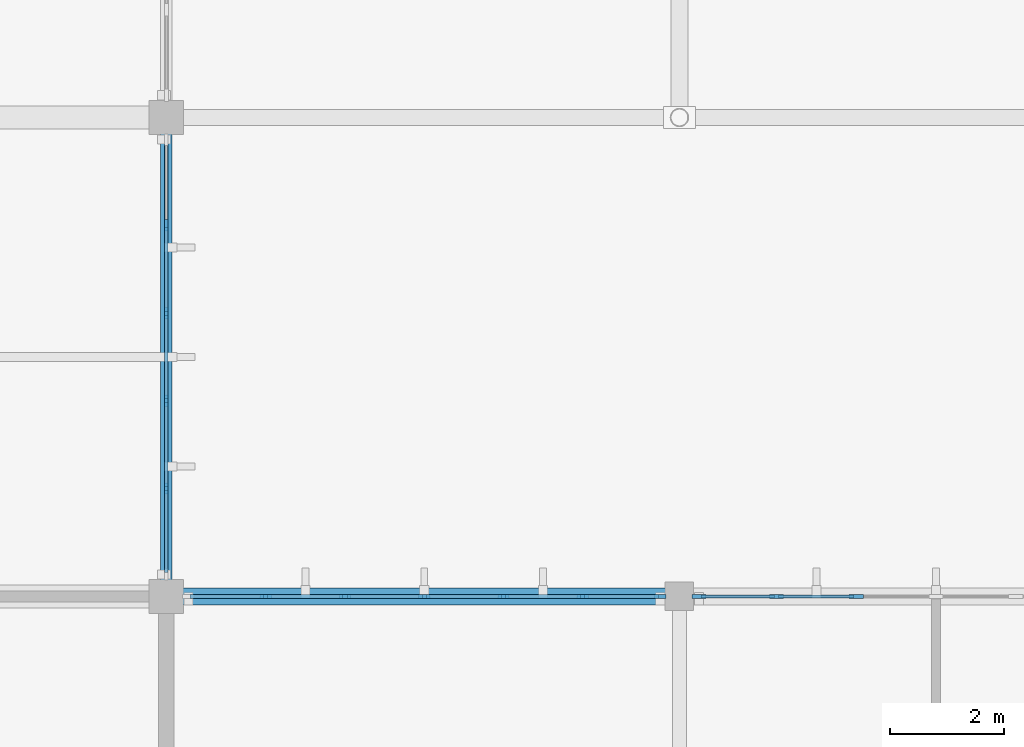
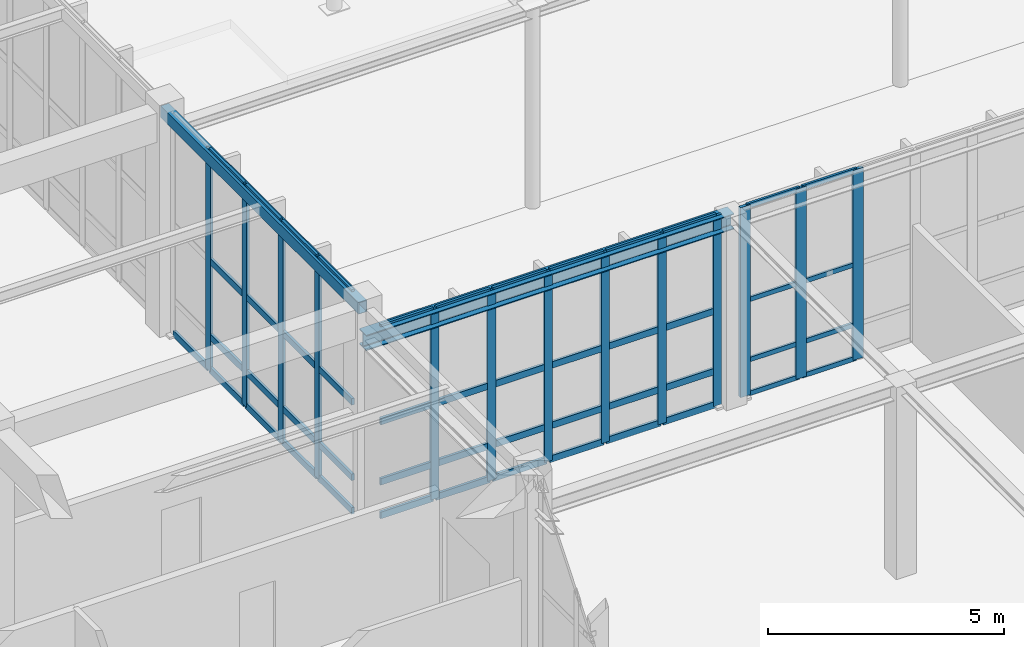
# One storey, part 31 of 110: 62 members, 2 beams, 3 elements without a shape of their own.
"""IFC4 building model written with IfcOpenShell, lengths in metres."""

import ifcopenshell
import ifcopenshell.guid

model = None  # the IFC model being written
_history = None  # IfcOwnerHistory: only IFC2X3 demands one
_inside = {}  # id of a spatial element -> (the spatial element, [elements in it])
_under = {}  # id of a project, library or spatial element -> (it, [spatial elements below it])
_declared = {}  # id of a project -> (the project, [libraries it declares])
_typed = {}  # id of a type object -> (the type object, [elements of that type])
_made_of = {}  # id of a material, layer set ... -> (it, [elements and type objects made of it])


def new_model(schema):
    """Start an empty IFC model of exactly this schema.

    Asked for "IFC4X3", IfcOpenShell would pick the latest addendum, in which some entities
    have other attributes; the version numbers below select the first issue.
    IFC2X3 requires an IfcOwnerHistory on every rooted entity: one is made here for all.
    """
    global model, _history
    if schema == "IFC4X3":
        model = ifcopenshell.file(schema_version=(4, 3, 0, 0))
    else:
        model = ifcopenshell.file(schema=schema)
    _inside.clear()
    _under.clear()
    _declared.clear()
    _typed.clear()
    _made_of.clear()
    _history = None
    if model.schema == "IFC2X3":
        org = make("IfcOrganization", Name="unknown")
        user = make(
            "IfcPersonAndOrganization",
            ThePerson=make("IfcPerson", FamilyName="unknown"),
            TheOrganization=org,
        )
        app = make(
            "IfcApplication",
            ApplicationDeveloper=org,
            Version="unknown",
            ApplicationFullName="unknown",
            ApplicationIdentifier="unknown",
        )
        _history = make(
            "IfcOwnerHistory",
            OwningUser=user,
            OwningApplication=app,
            ChangeAction="ADDED",
            CreationDate=0,
        )
    return model


def make(cls, **values):
    """One entity of the class cls with the attributes given. An attribute that is None is left unset."""
    return model.create_entity(
        cls, **{name: value for name, value in values.items() if value is not None}
    )


def rooted(cls, **values):
    """An entity with a GlobalId (a new one), such as an element, a storey or a relation."""
    return make(cls, GlobalId=ifcopenshell.guid.new(), OwnerHistory=_history, **values)


def si_unit(unit_type, name, prefix=None):
    """IfcSIUnit, for example si_unit("LENGTHUNIT", "METRE", prefix="MILLI")."""
    return make("IfcSIUnit", UnitType=unit_type, Prefix=prefix, Name=name)


def assignment(units):
    """IfcUnitAssignment: the units of a project."""
    return None if units is None else make("IfcUnitAssignment", Units=units)


def point(xyz):
    """IfcCartesianPoint."""
    return None if xyz is None else make("IfcCartesianPoint", Coordinates=xyz)


def direction(xyz):
    """IfcDirection."""
    return None if xyz is None else make("IfcDirection", DirectionRatios=xyz)


def frame(location, z_axis=None, x_axis=None):
    """IfcAxis2Placement3D, a coordinate frame: its origin and axes. An axis left out is left unset."""
    return make(
        "IfcAxis2Placement3D",
        Location=point(location),
        Axis=direction(z_axis),
        RefDirection=direction(x_axis),
    )


def frame_2d(location, x_axis=None):
    """IfcAxis2Placement2D, a coordinate frame in the plane: its origin and x axis."""
    return make(
        "IfcAxis2Placement2D", Location=point(location), RefDirection=direction(x_axis)
    )


def origin():
    """The frame at (0, 0, 0) with its axes left unset."""
    return frame((0.0, 0.0, 0.0))


def origin_2d():
    """The frame at (0, 0) in the plane with its x axis left unset."""
    return frame_2d((0.0, 0.0))


def place(relative_to, where):
    """IfcLocalPlacement: puts the frame where relative to a parent placement (None: the world)."""
    return make(
        "IfcLocalPlacement", PlacementRelTo=relative_to, RelativePlacement=where
    )


def context(
    kind, dimensions, precision=None, world=None, true_north=None, identifier=None
):
    """IfcGeometricRepresentationContext, for example the 3D "Model" context."""
    return make(
        "IfcGeometricRepresentationContext",
        ContextIdentifier=identifier,
        ContextType=kind,
        CoordinateSpaceDimension=dimensions,
        Precision=precision,
        WorldCoordinateSystem=world,
        TrueNorth=true_north,
    )


def subcontext(parent, identifier, kind, view, scale=None):
    """IfcGeometricRepresentationSubContext, for example "Body" below "Model"."""
    return make(
        "IfcGeometricRepresentationSubContext",
        ContextIdentifier=identifier,
        ContextType=kind,
        ParentContext=parent,
        TargetScale=scale,
        TargetView=view,
    )


def project(units=None, contexts=None):
    """IfcProject with its units and contexts."""
    return rooted(
        "IfcProject",
        Name="project",
        RepresentationContexts=contexts,
        UnitsInContext=assignment(units),
    )


def spatial(cls, under=None, at=None, **own):
    """A site, building, storey or space (cls), placed at a placement, below another one or the project."""
    s = rooted(cls, ObjectPlacement=at, **own)
    if under is not None:
        _under.setdefault(under.id(), (under, []))[1].append(s)
    return s


def profile(cls, at=None, kind="AREA", **sizes):
    """A parametric profile (cls). Its sizes go by their IFC names, for example OverallWidth=200.0."""
    return make(cls, ProfileType=kind, Position=at, **sizes)


def rectangle(**sizes):
    """IfcRectangleProfileDef."""
    return profile("IfcRectangleProfileDef", **sizes)


def hollow_rectangle(**sizes):
    """IfcRectangleHollowProfileDef."""
    return profile("IfcRectangleHollowProfileDef", **sizes)


def i_section(**sizes):
    """IfcIShapeProfileDef."""
    return profile("IfcIShapeProfileDef", **sizes)


def extrude(swept, where, along, depth):
    """IfcExtrudedAreaSolid: the profile swept, set in the frame where, extruded along a direction by depth."""
    return make(
        "IfcExtrudedAreaSolid",
        SweptArea=swept,
        Position=where,
        ExtrudedDirection=direction(along),
        Depth=depth,
    )


def shape(context_of_items, identifier, shape_type, items):
    """IfcShapeRepresentation: the items that make up one representation, for example the "Body"."""
    return make(
        "IfcShapeRepresentation",
        ContextOfItems=context_of_items,
        RepresentationIdentifier=identifier,
        RepresentationType=shape_type,
        Items=items,
    )


def material(Name=None, Category=None):
    """IfcMaterial."""
    return make("IfcMaterial", Name=Name, Category=Category)


def material_profile(
    of_material, cross_section, Name=None, Category=None, Priority=None
):
    """IfcMaterialProfile: a cross section and its material."""
    return make(
        "IfcMaterialProfile",
        Name=Name,
        Material=of_material,
        Profile=cross_section,
        Priority=Priority,
        Category=Category,
    )


def profile_set(profiles, Name=None, composite=None):
    """IfcMaterialProfileSet."""
    return make(
        "IfcMaterialProfileSet",
        Name=Name,
        MaterialProfiles=profiles,
        CompositeProfile=composite,
    )


def made_of(thing, what):
    """Note that an element or type object is made of a material, layer set ...; save() writes the relation."""
    if what is not None:
        _made_of.setdefault(what.id(), (what, []))[1].append(thing)
    return thing


def type_object(cls, material=None, **own):
    """A type object (cls), such as IfcWallType, which elements share."""
    return made_of(rooted(cls, **own), material)


def element(
    cls,
    number,
    at=None,
    inside=None,
    cuts=None,
    type_object=None,
    material=None,
    context=None,
    identifier="Body",
    shape_type=None,
    held_by="IfcProductDefinitionShape",
    body=None,
    shapes=None,
    **own,
):
    """One element of the class cls, such as IfcWall. Its Tag is "e" and its number.

    at: its placement. inside: the storey or other place that contains it. cuts: it is an
    opening in that element (IfcRelVoidsElement). A single representation is given by context,
    identifier, shape_type and body (its items); several are given by shapes. held_by: the class
    of the entity that holds the representations. save() writes the other relations.
    """
    e = rooted(cls, Tag="e%d" % number, ObjectPlacement=at, **own)
    if body is not None:
        shapes = [shape(context, identifier, shape_type, body)]
    if shapes is not None:
        e.Representation = make(held_by, Representations=shapes)
    if inside is not None:
        _inside.setdefault(inside.id(), (inside, []))[1].append(e)
    if cuts is not None:
        rooted(
            "IfcRelVoidsElement", RelatingBuildingElement=cuts, RelatedOpeningElement=e
        )
    if type_object is not None:
        _typed.setdefault(type_object.id(), (type_object, []))[1].append(e)
    return made_of(e, material)


def aggregate(whole, parts):
    """IfcRelAggregates: a whole, such as a stair, and the parts it consists of."""
    return rooted("IfcRelAggregates", RelatingObject=whole, RelatedObjects=parts)


def save(model, path):
    """Write the relations noted so far, then the file.

    IfcRelAggregates (storeys below a building ...), IfcRelContainedInSpatialStructure (elements
    in a storey), IfcRelDefinesByType, IfcRelAssociatesMaterial and IfcRelDeclares: one each for
    every whole, place, type object, material and project.
    """
    for whole, parts in _under.values():
        aggregate(whole, parts)
    for where, things in _inside.values():
        rooted(
            "IfcRelContainedInSpatialStructure",
            RelatedElements=things,
            RelatingStructure=where,
        )
    for kind, things in _typed.values():
        rooted("IfcRelDefinesByType", RelatedObjects=things, RelatingType=kind)
    for what, things in _made_of.values():
        rooted("IfcRelAssociatesMaterial", RelatedObjects=things, RelatingMaterial=what)
    for by, libraries in _declared.values():
        rooted("IfcRelDeclares", RelatingContext=by, RelatedDefinitions=libraries)
    model.write(path)


model = new_model("IFC4")

# Units and contexts
model_context = context("Model", 3, precision=1e-05, world=origin(), true_north=direction((0.0, 1.0)))
body_context = subcontext(model_context, "Body", "Model", "MODEL_VIEW")
ifc_project = project(units=[si_unit("LENGTHUNIT", "METRE"), si_unit("AREAUNIT", "SQUARE_METRE"), si_unit("VOLUMEUNIT", "CUBIC_METRE"), si_unit("PLANEANGLEUNIT", "RADIAN"), si_unit("MASSUNIT", "GRAM", prefix="KILO")], contexts=[model_context])

# Site, building, storey
site_placement = place(None, origin())
site = spatial("IfcSite", under=ifc_project, at=site_placement, CompositionType="ELEMENT")
building_placement = place(site_placement, origin())
building = spatial("IfcBuilding", under=site, at=building_placement, Name="Tizgana Railside Sports Hall", CompositionType="ELEMENT")
storey_placement = place(building_placement, origin())
storey = spatial("IfcBuildingStorey", under=building, at=storey_placement, Name="L00", CompositionType="ELEMENT", Elevation=0.0)

# Curtain wall, members
ifc_material_1 = material(Name="Anodised aluminium and glass", Category="aluminium")
curtain_wall_type_1 = type_object("IfcCurtainWallType", Name="Unitised Curtain Wall EastHall 1500", PredefinedType="NOTDEFINED", material=ifc_material_1)
curtain_wall_1_placement = place(storey_placement, origin())
curtain_wall_1 = element("IfcCurtainWall", 1, at=curtain_wall_1_placement, inside=storey, type_object=curtain_wall_type_1, Name="L00 Curtain Wall CW-0087", PredefinedType="NOTDEFINED")
ifc_material_2 = material(Name="Anodised aluminium", Category="aluminium")
ifc_material_profile_1 = material_profile(ifc_material_2, rectangle(XDim=0.06494140625, YDim=0.199951171875, at=origin_2d()), Name="Mullion 65x200")
ifc_profile_set_1 = profile_set([ifc_material_profile_1], Name="Anodised aluminium")
member_type_1 = type_object("IfcMemberType", Name="Mullion 65x200", PredefinedType="MULLION", material=ifc_profile_set_1)
member_1_placement = place(storey_placement, frame((97.800048828125, 22.10693359375, 0.044921875), z_axis=(0.0, 0.0, 1.0), x_axis=(1.0, 0.0, 0.0)))
member_1 = element("IfcMember", 2, at=member_1_placement, type_object=member_type_1, Name="CW-08 mullion 2", PredefinedType="MULLION", context=body_context, shape_type="SweptSolid", body=[
    extrude(rectangle(XDim=0.06494140625, YDim=0.199951171875, at=origin_2d()), origin(), (0.0, 0.0, 1.0), 5.705078125),
])
member_2_placement = place(storey_placement, frame((97.800048828125, 20.569091796875, 0.044921875), z_axis=(0.0, 0.0, 1.0), x_axis=(1.0, 0.0, 0.0)))
member_2 = element("IfcMember", 3, at=member_2_placement, type_object=member_type_1, Name="CW-08 mullion 3", PredefinedType="MULLION", context=body_context, shape_type="SweptSolid", body=[
    extrude(rectangle(XDim=0.06494140625, YDim=0.199951171875, at=origin_2d()), origin(), (0.0, 0.0, 1.0), 5.705078125),
])
member_3_placement = place(storey_placement, frame((97.800048828125, 19.031005859375, 0.044921875), z_axis=(0.0, 0.0, 1.0), x_axis=(1.0, 0.0, 0.0)))
member_3 = element("IfcMember", 4, at=member_3_placement, type_object=member_type_1, Name="CW-08 mullion 4", PredefinedType="MULLION", context=body_context, shape_type="SweptSolid", body=[
    extrude(rectangle(XDim=0.06494140625, YDim=0.199951171875, at=origin_2d()), origin(), (0.0, 0.0, 1.0), 5.705078125),
])
member_4_placement = place(storey_placement, frame((97.800048828125, 17.492919921875, 0.044921875), z_axis=(0.0, 0.0, 1.0), x_axis=(1.0, 0.0, 0.0)))
member_4 = element("IfcMember", 5, at=member_4_placement, type_object=member_type_1, Name="CW-08 mullion 5", PredefinedType="MULLION", context=body_context, shape_type="SweptSolid", body=[
    extrude(rectangle(XDim=0.06494140625, YDim=0.199951171875, at=origin_2d()), origin(), (0.0, 0.0, 1.0), 5.705078125),
])

curtain_wall_type_2 = type_object("IfcCurtainWallType", Name="Unitised Curtain Wall Foyer 1300", PredefinedType="NOTDEFINED", material=ifc_material_1)
curtain_wall_2_placement = place(storey_placement, origin())
curtain_wall_2 = element("IfcCurtainWall", 6, at=curtain_wall_2_placement, inside=storey, type_object=curtain_wall_type_2, Name="L00 Curtain Wall CW-0153", PredefinedType="NOTDEFINED")
member_5_placement = place(storey_placement, frame((99.544921875, 15.60009765625, 0.044921875), z_axis=(0.0, 0.0, 1.0), x_axis=(0.0, 1.0, 0.0)))
member_5 = element("IfcMember", 7, at=member_5_placement, type_object=member_type_1, Name="CW-02 mullion 2", PredefinedType="MULLION", context=body_context, shape_type="SweptSolid", body=[
    extrude(rectangle(XDim=0.06494140625, YDim=0.199951171875, at=origin_2d()), origin(), (0.0, 0.0, 1.0), 4.9150390625),
])
member_6_placement = place(storey_placement, frame((100.93505859375, 15.60009765625, 0.044921875), z_axis=(0.0, 0.0, 1.0), x_axis=(0.0, 1.0, 0.0)))
member_6 = element("IfcMember", 8, at=member_6_placement, type_object=member_type_1, Name="CW-02 mullion 3", PredefinedType="MULLION", context=body_context, shape_type="SweptSolid", body=[
    extrude(rectangle(XDim=0.06494140625, YDim=0.199951171875, at=origin_2d()), origin(), (0.0, 0.0, 1.0), 4.9150390625),
])
member_7_placement = place(storey_placement, frame((102.324951171875, 15.60009765625, 0.044921875), z_axis=(0.0, 0.0, 1.0), x_axis=(0.0, 1.0, 0.0)))
member_7 = element("IfcMember", 9, at=member_7_placement, type_object=member_type_1, Name="CW-02 mullion 4", PredefinedType="MULLION", context=body_context, shape_type="SweptSolid", body=[
    extrude(rectangle(XDim=0.06494140625, YDim=0.199951171875, at=origin_2d()), origin(), (0.0, 0.0, 1.0), 4.9150390625),
])
member_8_placement = place(storey_placement, frame((103.715087890625, 15.60009765625, 0.044921875), z_axis=(0.0, 0.0, 1.0), x_axis=(0.0, 1.0, 0.0)))
member_8 = element("IfcMember", 10, at=member_8_placement, type_object=member_type_1, Name="CW-02 mullion 5", PredefinedType="MULLION", context=body_context, shape_type="SweptSolid", body=[
    extrude(rectangle(XDim=0.06494140625, YDim=0.199951171875, at=origin_2d()), origin(), (0.0, 0.0, 1.0), 4.9150390625),
])
member_9_placement = place(storey_placement, frame((105.10498046875, 15.60009765625, 0.044921875), z_axis=(0.0, 0.0, 1.0), x_axis=(0.0, 1.0, 0.0)))
member_9 = element("IfcMember", 11, at=member_9_placement, type_object=member_type_1, Name="CW-02 mullion 6", PredefinedType="MULLION", context=body_context, shape_type="SweptSolid", body=[
    extrude(rectangle(XDim=0.06494140625, YDim=0.199951171875, at=origin_2d()), origin(), (0.0, 0.0, 1.0), 4.9150390625),
])
member_10_placement = place(storey_placement, frame((106.46240234375, 15.60009765625, 0.044921875), z_axis=(0.0, 0.0, 1.0), x_axis=(0.0, 1.0, 0.0)))
member_10 = element("IfcMember", 12, at=member_10_placement, type_object=member_type_1, Name="CW-02 mullion 7", PredefinedType="MULLION", context=body_context, shape_type="SweptSolid", body=[
    extrude(rectangle(XDim=0.06494140625, YDim=0.199951171875, at=origin_2d()), origin(), (0.0, 0.0, 1.0), 4.9150390625),
])

curtain_wall_type_3 = type_object("IfcCurtainWallType", Name="Unitised Curtain Wall Climbing 1600", PredefinedType="NOTDEFINED", material=ifc_material_1)
curtain_wall_3_placement = place(storey_placement, origin())
curtain_wall_3 = element("IfcCurtainWall", 13, at=curtain_wall_3_placement, inside=storey, type_object=curtain_wall_type_3, Name="L00 Curtain Wall CW-0155", PredefinedType="NOTDEFINED")
ifc_material_profile_2 = material_profile(ifc_material_2, rectangle(XDim=0.074951171875, YDim=0.25, at=origin_2d()), Name="Mullion 75x250")
ifc_profile_set_2 = profile_set([ifc_material_profile_2], Name="Anodised aluminium")
member_type_2 = type_object("IfcMemberType", Name="Mullion 75x250", PredefinedType="MULLION", material=ifc_profile_set_2)
member_11_placement = place(storey_placement, frame((107.142578125, 15.60009765625, 0.044921875), z_axis=(0.0, 0.0, 1.0), x_axis=(0.0, 1.0, 0.0)))
member_11 = element("IfcMember", 14, at=member_11_placement, type_object=member_type_2, Name="CW-04 mullion 1", PredefinedType="MULLION", context=body_context, shape_type="SweptSolid", body=[
    extrude(rectangle(XDim=0.074951171875, YDim=0.25, at=origin_2d()), origin(), (0.0, 0.0, 1.0), 4.9150390625),
])
member_12_placement = place(storey_placement, frame((108.50341796875, 15.60009765625, 0.044921875), z_axis=(0.0, 0.0, 1.0), x_axis=(0.0, 1.0, 0.0)))
member_12 = element("IfcMember", 15, at=member_12_placement, type_object=member_type_2, Name="CW-04 mullion 2", PredefinedType="MULLION", context=body_context, shape_type="SweptSolid", body=[
    extrude(rectangle(XDim=0.074951171875, YDim=0.25, at=origin_2d()), origin(), (0.0, 0.0, 1.0), 4.9150390625),
])
member_13_placement = place(storey_placement, frame((109.901611328125, 15.60009765625, 0.044921875), z_axis=(0.0, 0.0, 1.0), x_axis=(0.0, 1.0, 0.0)))
member_13 = element("IfcMember", 16, at=member_13_placement, type_object=member_type_2, Name="CW-04 mullion 3", PredefinedType="MULLION", context=body_context, shape_type="SweptSolid", body=[
    extrude(rectangle(XDim=0.074951171875, YDim=0.25, at=origin_2d()), origin(), (0.0, 0.0, 1.0), 4.9150390625),
])

# Beams
ifc_material_3 = material(Name="Steel S355J2", Category="steel")
ifc_material_profile_3 = material_profile(ifc_material_3, i_section(OverallWidth=0.300048828125, OverallDepth=0.39990234375, WebThickness=0.013427734375, FlangeThickness=0.02392578125, FilletRadius=0.027099609375, at=origin_2d()), Name="HEB 400")
ifc_profile_set_3 = profile_set([ifc_material_profile_3], Name="Steel S355J2")
beam_type_1 = type_object("IfcBeamType", Name="Steel Beam HEB 400", PredefinedType="BEAM", material=ifc_profile_set_3)
beam_1_placement = place(storey_placement, frame((97.800048828125, 15.60009765625, 4.756103515625), z_axis=(1.0, 0.0, 0.0), x_axis=(0.0, 1.0, 0.0)))
element("IfcBeam", 17, at=beam_1_placement, inside=storey, type_object=beam_type_1, Name="L00 BEM-1349", PredefinedType="BEAM", context=body_context, shape_type="SweptSolid", body=[
    extrude(i_section(OverallWidth=0.300048828125, OverallDepth=0.39990234375, WebThickness=0.013427734375, FlangeThickness=0.02392578125, FilletRadius=0.027099609375, at=origin_2d()), origin(), (0.0, 0.0, 1.0), 9.0),
])
ifc_material_profile_4 = material_profile(ifc_material_3, hollow_rectangle(XDim=0.199951171875, YDim=0.300048828125, WallThickness=0.010009765625, at=origin_2d()), Name="RHS 300x200x10")
ifc_profile_set_4 = profile_set([ifc_material_profile_4], Name="Steel S355J2")
beam_type_2 = type_object("IfcBeamType", Name="Steel Spandrel RHS 300x200x10", PredefinedType="SPANDREL", material=ifc_profile_set_4)
beam_2_placement = place(storey_placement, frame((97.800048828125, 15.60009765625, 5.595947265625), z_axis=(0.0, 1.0, 0.0), x_axis=(-1.0, 0.0, 0.0)))
element("IfcBeam", 18, at=beam_2_placement, inside=storey, type_object=beam_type_2, Name="L00 BEM-0376", PredefinedType="SPANDREL", context=body_context, shape_type="SweptSolid", body=[
    extrude(hollow_rectangle(XDim=0.199951171875, YDim=0.300048828125, WallThickness=0.010009765625, at=origin_2d()), origin(), (0.0, 0.0, 1.0), 8.39990234375),
])

# Member
ifc_material_profile_5 = material_profile(ifc_material_2, rectangle(XDim=0.054931640625, YDim=0.1201171875, at=origin_2d()), Name="Transom 55x120")
ifc_profile_set_5 = profile_set([ifc_material_profile_5], Name="Anodised aluminium")
member_type_3 = type_object("IfcMemberType", Name="Transom 55x120", PredefinedType="USERDEFINED", material=ifc_profile_set_5)
member_14_placement = place(storey_placement, frame((107.179931640625, 15.60009765625, 0.072509765625), z_axis=(1.0, 0.0, 0.0), x_axis=(0.0, 1.0, 0.0)))
member_14 = element("IfcMember", 19, at=member_14_placement, type_object=member_type_3, Name="CW-04 transom 1.1", ObjectType="TRANSOM", PredefinedType="USERDEFINED", context=body_context, shape_type="SweptSolid", body=[
    extrude(rectangle(XDim=0.054931640625, YDim=0.1201171875, at=origin_2d()), origin(), (0.0, 0.0, 1.0), 1.285888671875),
])

member_15_placement = place(storey_placement, frame((107.179931640625, 15.60009765625, 0.945068359375), z_axis=(1.0, 0.0, 0.0), x_axis=(0.0, 1.0, 0.0)))
member_15 = element("IfcMember", 20, at=member_15_placement, type_object=member_type_3, Name="CW-04 transom 1.2", ObjectType="TRANSOM", PredefinedType="USERDEFINED", context=body_context, shape_type="SweptSolid", body=[
    extrude(rectangle(XDim=0.054931640625, YDim=0.1201171875, at=origin_2d()), origin(), (0.0, 0.0, 1.0), 1.285888671875),
])

member_16_placement = place(storey_placement, frame((107.179931640625, 15.60009765625, 2.50244140625), z_axis=(1.0, 0.0, 0.0), x_axis=(0.0, 1.0, 0.0)))
member_16 = element("IfcMember", 21, at=member_16_placement, type_object=member_type_3, Name="CW-04 transom 1.3", ObjectType="TRANSOM", PredefinedType="USERDEFINED", context=body_context, shape_type="SweptSolid", body=[
    extrude(rectangle(XDim=0.054931640625, YDim=0.1201171875, at=origin_2d()), origin(), (0.0, 0.0, 1.0), 1.285888671875),
])

member_17_placement = place(storey_placement, frame((107.179931640625, 15.60009765625, 4.9326171875), z_axis=(1.0, 0.0, 0.0), x_axis=(0.0, 1.0, 0.0)))
member_17 = element("IfcMember", 22, at=member_17_placement, type_object=member_type_3, Name="CW-04 transom 1.4", ObjectType="TRANSOM", PredefinedType="USERDEFINED", context=body_context, shape_type="SweptSolid", body=[
    extrude(rectangle(XDim=0.054931640625, YDim=0.1201171875, at=origin_2d()), origin(), (0.0, 0.0, 1.0), 1.285888671875),
])

member_18_placement = place(storey_placement, frame((108.540771484375, 15.60009765625, 0.072509765625), z_axis=(1.0, 0.0, 0.0), x_axis=(0.0, 1.0, 0.0)))
member_18 = element("IfcMember", 23, at=member_18_placement, type_object=member_type_3, Name="CW-04 transom 2.1", ObjectType="TRANSOM", PredefinedType="USERDEFINED", context=body_context, shape_type="SweptSolid", body=[
    extrude(rectangle(XDim=0.054931640625, YDim=0.1201171875, at=origin_2d()), origin(), (0.0, 0.0, 1.0), 1.323486328125),
])

member_19_placement = place(storey_placement, frame((108.540771484375, 15.60009765625, 0.945068359375), z_axis=(1.0, 0.0, 0.0), x_axis=(0.0, 1.0, 0.0)))
member_19 = element("IfcMember", 24, at=member_19_placement, type_object=member_type_3, Name="CW-04 transom 2.2", ObjectType="TRANSOM", PredefinedType="USERDEFINED", context=body_context, shape_type="SweptSolid", body=[
    extrude(rectangle(XDim=0.054931640625, YDim=0.1201171875, at=origin_2d()), origin(), (0.0, 0.0, 1.0), 1.323486328125),
])

member_20_placement = place(storey_placement, frame((108.540771484375, 15.60009765625, 2.50244140625), z_axis=(1.0, 0.0, 0.0), x_axis=(0.0, 1.0, 0.0)))
member_20 = element("IfcMember", 25, at=member_20_placement, type_object=member_type_3, Name="CW-04 transom 2.3", ObjectType="TRANSOM", PredefinedType="USERDEFINED", context=body_context, shape_type="SweptSolid", body=[
    extrude(rectangle(XDim=0.054931640625, YDim=0.1201171875, at=origin_2d()), origin(), (0.0, 0.0, 1.0), 1.323486328125),
])

member_21_placement = place(storey_placement, frame((108.540771484375, 15.60009765625, 4.9326171875), z_axis=(1.0, 0.0, 0.0), x_axis=(0.0, 1.0, 0.0)))
member_21 = element("IfcMember", 26, at=member_21_placement, type_object=member_type_3, Name="CW-04 transom 2.4", ObjectType="TRANSOM", PredefinedType="USERDEFINED", context=body_context, shape_type="SweptSolid", body=[
    extrude(rectangle(XDim=0.054931640625, YDim=0.1201171875, at=origin_2d()), origin(), (0.0, 0.0, 1.0), 1.323486328125),
])

aggregate(curtain_wall_3, [member_11, member_12, member_13, member_14, member_15, member_16, member_17, member_18, member_19, member_20, member_21])

ifc_material_profile_6 = material_profile(ifc_material_2, rectangle(XDim=0.06494140625, YDim=0.169921875, at=origin_2d()), Name="Transom 65x170")
ifc_profile_set_6 = profile_set([ifc_material_profile_6], Name="Anodised aluminium")
member_type_4 = type_object("IfcMemberType", Name="Transom 65x170", PredefinedType="USERDEFINED", material=ifc_profile_set_6)
member_22_placement = place(storey_placement, frame((97.800048828125, 23.580078125, 0.077392578125), z_axis=(0.0, -1.0, 0.0), x_axis=(1.0, 0.0, 0.0)))
member_22 = element("IfcMember", 27, at=member_22_placement, type_object=member_type_4, Name="CW-08 transom 1.1", ObjectType="TRANSOM", PredefinedType="USERDEFINED", context=body_context, shape_type="SweptSolid", body=[
    extrude(rectangle(XDim=0.06494140625, YDim=0.169921875, at=origin_2d()), origin(), (0.0, 0.0, 1.0), 1.440673828125),
])

member_23_placement = place(storey_placement, frame((97.800048828125, 22.074462890625, 0.077392578125), z_axis=(0.0, -1.0, 0.0), x_axis=(1.0, 0.0, 0.0)))
member_23 = element("IfcMember", 28, at=member_23_placement, type_object=member_type_4, Name="CW-08 transom 2.1", ObjectType="TRANSOM", PredefinedType="USERDEFINED", context=body_context, shape_type="SweptSolid", body=[
    extrude(rectangle(XDim=0.06494140625, YDim=0.169921875, at=origin_2d()), origin(), (0.0, 0.0, 1.0), 1.472900390625),
])

member_24_placement = place(storey_placement, frame((97.800048828125, 22.074462890625, 0.945068359375), z_axis=(0.0, -1.0, 0.0), x_axis=(1.0, 0.0, 0.0)))
member_24 = element("IfcMember", 29, at=member_24_placement, type_object=member_type_4, Name="CW-08 transom 2.2", ObjectType="TRANSOM", PredefinedType="USERDEFINED", context=body_context, shape_type="SweptSolid", body=[
    extrude(rectangle(XDim=0.06494140625, YDim=0.169921875, at=origin_2d()), origin(), (0.0, 0.0, 1.0), 1.472900390625),
])

member_25_placement = place(storey_placement, frame((97.800048828125, 22.074462890625, 2.8974609375), z_axis=(0.0, -1.0, 0.0), x_axis=(1.0, 0.0, 0.0)))
member_25 = element("IfcMember", 30, at=member_25_placement, type_object=member_type_4, Name="CW-08 transom 2.3", ObjectType="TRANSOM", PredefinedType="USERDEFINED", context=body_context, shape_type="SweptSolid", body=[
    extrude(rectangle(XDim=0.06494140625, YDim=0.169921875, at=origin_2d()), origin(), (0.0, 0.0, 1.0), 1.472900390625),
])

member_26_placement = place(storey_placement, frame((97.800048828125, 22.074462890625, 5.717529296875), z_axis=(0.0, -1.0, 0.0), x_axis=(1.0, 0.0, 0.0)))
member_26 = element("IfcMember", 31, at=member_26_placement, type_object=member_type_4, Name="CW-08 transom 2.4", ObjectType="TRANSOM", PredefinedType="USERDEFINED", context=body_context, shape_type="SweptSolid", body=[
    extrude(rectangle(XDim=0.06494140625, YDim=0.169921875, at=origin_2d()), origin(), (0.0, 0.0, 1.0), 1.472900390625),
])

member_27_placement = place(storey_placement, frame((97.800048828125, 20.53662109375, 0.077392578125), z_axis=(0.0, -1.0, 0.0), x_axis=(1.0, 0.0, 0.0)))
member_27 = element("IfcMember", 32, at=member_27_placement, type_object=member_type_4, Name="CW-08 transom 3.1", ObjectType="TRANSOM", PredefinedType="USERDEFINED", context=body_context, shape_type="SweptSolid", body=[
    extrude(rectangle(XDim=0.06494140625, YDim=0.169921875, at=origin_2d()), origin(), (0.0, 0.0, 1.0), 1.47314453125),
])

member_28_placement = place(storey_placement, frame((97.800048828125, 20.53662109375, 0.945068359375), z_axis=(0.0, -1.0, 0.0), x_axis=(1.0, 0.0, 0.0)))
member_28 = element("IfcMember", 33, at=member_28_placement, type_object=member_type_4, Name="CW-08 transom 3.2", ObjectType="TRANSOM", PredefinedType="USERDEFINED", context=body_context, shape_type="SweptSolid", body=[
    extrude(rectangle(XDim=0.06494140625, YDim=0.169921875, at=origin_2d()), origin(), (0.0, 0.0, 1.0), 1.47314453125),
])

member_29_placement = place(storey_placement, frame((97.800048828125, 20.53662109375, 2.8974609375), z_axis=(0.0, -1.0, 0.0), x_axis=(1.0, 0.0, 0.0)))
member_29 = element("IfcMember", 34, at=member_29_placement, type_object=member_type_4, Name="CW-08 transom 3.3", ObjectType="TRANSOM", PredefinedType="USERDEFINED", context=body_context, shape_type="SweptSolid", body=[
    extrude(rectangle(XDim=0.06494140625, YDim=0.169921875, at=origin_2d()), origin(), (0.0, 0.0, 1.0), 1.47314453125),
])

member_30_placement = place(storey_placement, frame((97.800048828125, 20.53662109375, 5.717529296875), z_axis=(0.0, -1.0, 0.0), x_axis=(1.0, 0.0, 0.0)))
member_30 = element("IfcMember", 35, at=member_30_placement, type_object=member_type_4, Name="CW-08 transom 3.4", ObjectType="TRANSOM", PredefinedType="USERDEFINED", context=body_context, shape_type="SweptSolid", body=[
    extrude(rectangle(XDim=0.06494140625, YDim=0.169921875, at=origin_2d()), origin(), (0.0, 0.0, 1.0), 1.47314453125),
])

member_31_placement = place(storey_placement, frame((97.800048828125, 18.99853515625, 0.077392578125), z_axis=(0.0, -1.0, 0.0), x_axis=(1.0, 0.0, 0.0)))
member_31 = element("IfcMember", 36, at=member_31_placement, type_object=member_type_4, Name="CW-08 transom 4.1", ObjectType="TRANSOM", PredefinedType="USERDEFINED", context=body_context, shape_type="SweptSolid", body=[
    extrude(rectangle(XDim=0.06494140625, YDim=0.169921875, at=origin_2d()), origin(), (0.0, 0.0, 1.0), 1.47314453125),
])

member_32_placement = place(storey_placement, frame((97.800048828125, 18.99853515625, 0.945068359375), z_axis=(0.0, -1.0, 0.0), x_axis=(1.0, 0.0, 0.0)))
member_32 = element("IfcMember", 37, at=member_32_placement, type_object=member_type_4, Name="CW-08 transom 4.2", ObjectType="TRANSOM", PredefinedType="USERDEFINED", context=body_context, shape_type="SweptSolid", body=[
    extrude(rectangle(XDim=0.06494140625, YDim=0.169921875, at=origin_2d()), origin(), (0.0, 0.0, 1.0), 1.47314453125),
])

member_33_placement = place(storey_placement, frame((97.800048828125, 18.99853515625, 2.8974609375), z_axis=(0.0, -1.0, 0.0), x_axis=(1.0, 0.0, 0.0)))
member_33 = element("IfcMember", 38, at=member_33_placement, type_object=member_type_4, Name="CW-08 transom 4.3", ObjectType="TRANSOM", PredefinedType="USERDEFINED", context=body_context, shape_type="SweptSolid", body=[
    extrude(rectangle(XDim=0.06494140625, YDim=0.169921875, at=origin_2d()), origin(), (0.0, 0.0, 1.0), 1.47314453125),
])

member_34_placement = place(storey_placement, frame((97.800048828125, 18.99853515625, 5.717529296875), z_axis=(0.0, -1.0, 0.0), x_axis=(1.0, 0.0, 0.0)))
member_34 = element("IfcMember", 39, at=member_34_placement, type_object=member_type_4, Name="CW-08 transom 4.4", ObjectType="TRANSOM", PredefinedType="USERDEFINED", context=body_context, shape_type="SweptSolid", body=[
    extrude(rectangle(XDim=0.06494140625, YDim=0.169921875, at=origin_2d()), origin(), (0.0, 0.0, 1.0), 1.47314453125),
])

member_35_placement = place(storey_placement, frame((97.800048828125, 17.46044921875, 0.077392578125), z_axis=(0.0, -1.0, 0.0), x_axis=(1.0, 0.0, 0.0)))
member_35 = element("IfcMember", 40, at=member_35_placement, type_object=member_type_4, Name="CW-08 transom 5.1", ObjectType="TRANSOM", PredefinedType="USERDEFINED", context=body_context, shape_type="SweptSolid", body=[
    extrude(rectangle(XDim=0.06494140625, YDim=0.169921875, at=origin_2d()), origin(), (0.0, 0.0, 1.0), 1.4404296875),
])

member_36_placement = place(storey_placement, frame((97.800048828125, 17.46044921875, 0.945068359375), z_axis=(0.0, -1.0, 0.0), x_axis=(1.0, 0.0, 0.0)))
member_36 = element("IfcMember", 41, at=member_36_placement, type_object=member_type_4, Name="CW-08 transom 5.2", ObjectType="TRANSOM", PredefinedType="USERDEFINED", context=body_context, shape_type="SweptSolid", body=[
    extrude(rectangle(XDim=0.06494140625, YDim=0.169921875, at=origin_2d()), origin(), (0.0, 0.0, 1.0), 1.4404296875),
])

member_37_placement = place(storey_placement, frame((97.800048828125, 17.46044921875, 2.8974609375), z_axis=(0.0, -1.0, 0.0), x_axis=(1.0, 0.0, 0.0)))
member_37 = element("IfcMember", 42, at=member_37_placement, type_object=member_type_4, Name="CW-08 transom 5.3", ObjectType="TRANSOM", PredefinedType="USERDEFINED", context=body_context, shape_type="SweptSolid", body=[
    extrude(rectangle(XDim=0.06494140625, YDim=0.169921875, at=origin_2d()), origin(), (0.0, 0.0, 1.0), 1.4404296875),
])

member_38_placement = place(storey_placement, frame((97.800048828125, 17.46044921875, 5.717529296875), z_axis=(0.0, -1.0, 0.0), x_axis=(1.0, 0.0, 0.0)))
member_38 = element("IfcMember", 43, at=member_38_placement, type_object=member_type_4, Name="CW-08 transom 5.4", ObjectType="TRANSOM", PredefinedType="USERDEFINED", context=body_context, shape_type="SweptSolid", body=[
    extrude(rectangle(XDim=0.06494140625, YDim=0.169921875, at=origin_2d()), origin(), (0.0, 0.0, 1.0), 1.4404296875),
])

aggregate(curtain_wall_1, [member_1, member_2, member_3, member_4, member_22, member_23, member_24, member_25, member_26, member_27, member_28, member_29, member_30, member_31, member_32, member_33, member_34, member_35, member_36, member_37, member_38])

member_39_placement = place(storey_placement, frame((98.219970703125, 15.60009765625, 0.077392578125), z_axis=(1.0, 0.0, 0.0), x_axis=(0.0, 1.0, 0.0)))
member_39 = element("IfcMember", 44, at=member_39_placement, type_object=member_type_4, Name="CW-02 transom 1.1", ObjectType="TRANSOM", PredefinedType="USERDEFINED", context=body_context, shape_type="SweptSolid", body=[
    extrude(rectangle(XDim=0.06494140625, YDim=0.169921875, at=origin_2d()), origin(), (0.0, 0.0, 1.0), 1.29248046875),
])

member_40_placement = place(storey_placement, frame((98.219970703125, 15.60009765625, 0.945068359375), z_axis=(1.0, 0.0, 0.0), x_axis=(0.0, 1.0, 0.0)))
member_40 = element("IfcMember", 45, at=member_40_placement, type_object=member_type_4, Name="CW-02 transom 1.2", ObjectType="TRANSOM", PredefinedType="USERDEFINED", context=body_context, shape_type="SweptSolid", body=[
    extrude(rectangle(XDim=0.06494140625, YDim=0.169921875, at=origin_2d()), origin(), (0.0, 0.0, 1.0), 1.29248046875),
])

member_41_placement = place(storey_placement, frame((98.219970703125, 15.60009765625, 2.50244140625), z_axis=(1.0, 0.0, 0.0), x_axis=(0.0, 1.0, 0.0)))
member_41 = element("IfcMember", 46, at=member_41_placement, type_object=member_type_4, Name="CW-02 transom 1.3", ObjectType="TRANSOM", PredefinedType="USERDEFINED", context=body_context, shape_type="SweptSolid", body=[
    extrude(rectangle(XDim=0.06494140625, YDim=0.169921875, at=origin_2d()), origin(), (0.0, 0.0, 1.0), 1.29248046875),
])

member_42_placement = place(storey_placement, frame((98.219970703125, 15.60009765625, 4.927490234375), z_axis=(1.0, 0.0, 0.0), x_axis=(0.0, 1.0, 0.0)))
member_42 = element("IfcMember", 47, at=member_42_placement, type_object=member_type_4, Name="CW-02 transom 1.4", ObjectType="TRANSOM", PredefinedType="USERDEFINED", context=body_context, shape_type="SweptSolid", body=[
    extrude(rectangle(XDim=0.06494140625, YDim=0.169921875, at=origin_2d()), origin(), (0.0, 0.0, 1.0), 1.29248046875),
])

member_43_placement = place(storey_placement, frame((99.577392578125, 15.60009765625, 0.077392578125), z_axis=(1.0, 0.0, 0.0), x_axis=(0.0, 1.0, 0.0)))
member_43 = element("IfcMember", 48, at=member_43_placement, type_object=member_type_4, Name="CW-02 transom 2.1", ObjectType="TRANSOM", PredefinedType="USERDEFINED", context=body_context, shape_type="SweptSolid", body=[
    extrude(rectangle(XDim=0.06494140625, YDim=0.169921875, at=origin_2d()), origin(), (0.0, 0.0, 1.0), 1.3251953125),
])

member_44_placement = place(storey_placement, frame((99.577392578125, 15.60009765625, 0.945068359375), z_axis=(1.0, 0.0, 0.0), x_axis=(0.0, 1.0, 0.0)))
member_44 = element("IfcMember", 49, at=member_44_placement, type_object=member_type_4, Name="CW-02 transom 2.2", ObjectType="TRANSOM", PredefinedType="USERDEFINED", context=body_context, shape_type="SweptSolid", body=[
    extrude(rectangle(XDim=0.06494140625, YDim=0.169921875, at=origin_2d()), origin(), (0.0, 0.0, 1.0), 1.3251953125),
])

member_45_placement = place(storey_placement, frame((99.577392578125, 15.60009765625, 2.50244140625), z_axis=(1.0, 0.0, 0.0), x_axis=(0.0, 1.0, 0.0)))
member_45 = element("IfcMember", 50, at=member_45_placement, type_object=member_type_4, Name="CW-02 transom 2.3", ObjectType="TRANSOM", PredefinedType="USERDEFINED", context=body_context, shape_type="SweptSolid", body=[
    extrude(rectangle(XDim=0.06494140625, YDim=0.169921875, at=origin_2d()), origin(), (0.0, 0.0, 1.0), 1.3251953125),
])

member_46_placement = place(storey_placement, frame((99.577392578125, 15.60009765625, 4.927490234375), z_axis=(1.0, 0.0, 0.0), x_axis=(0.0, 1.0, 0.0)))
member_46 = element("IfcMember", 51, at=member_46_placement, type_object=member_type_4, Name="CW-02 transom 2.4", ObjectType="TRANSOM", PredefinedType="USERDEFINED", context=body_context, shape_type="SweptSolid", body=[
    extrude(rectangle(XDim=0.06494140625, YDim=0.169921875, at=origin_2d()), origin(), (0.0, 0.0, 1.0), 1.3251953125),
])

member_47_placement = place(storey_placement, frame((100.967529296875, 15.60009765625, 0.077392578125), z_axis=(1.0, 0.0, 0.0), x_axis=(0.0, 1.0, 0.0)))
member_47 = element("IfcMember", 52, at=member_47_placement, type_object=member_type_4, Name="CW-02 transom 3.1", ObjectType="TRANSOM", PredefinedType="USERDEFINED", context=body_context, shape_type="SweptSolid", body=[
    extrude(rectangle(XDim=0.06494140625, YDim=0.169921875, at=origin_2d()), origin(), (0.0, 0.0, 1.0), 1.324951171875),
])

member_48_placement = place(storey_placement, frame((100.967529296875, 15.60009765625, 0.945068359375), z_axis=(1.0, 0.0, 0.0), x_axis=(0.0, 1.0, 0.0)))
member_48 = element("IfcMember", 53, at=member_48_placement, type_object=member_type_4, Name="CW-02 transom 3.2", ObjectType="TRANSOM", PredefinedType="USERDEFINED", context=body_context, shape_type="SweptSolid", body=[
    extrude(rectangle(XDim=0.06494140625, YDim=0.169921875, at=origin_2d()), origin(), (0.0, 0.0, 1.0), 1.324951171875),
])

member_49_placement = place(storey_placement, frame((100.967529296875, 15.60009765625, 2.50244140625), z_axis=(1.0, 0.0, 0.0), x_axis=(0.0, 1.0, 0.0)))
member_49 = element("IfcMember", 54, at=member_49_placement, type_object=member_type_4, Name="CW-02 transom 3.3", ObjectType="TRANSOM", PredefinedType="USERDEFINED", context=body_context, shape_type="SweptSolid", body=[
    extrude(rectangle(XDim=0.06494140625, YDim=0.169921875, at=origin_2d()), origin(), (0.0, 0.0, 1.0), 1.324951171875),
])

member_50_placement = place(storey_placement, frame((100.967529296875, 15.60009765625, 4.927490234375), z_axis=(1.0, 0.0, 0.0), x_axis=(0.0, 1.0, 0.0)))
member_50 = element("IfcMember", 55, at=member_50_placement, type_object=member_type_4, Name="CW-02 transom 3.4", ObjectType="TRANSOM", PredefinedType="USERDEFINED", context=body_context, shape_type="SweptSolid", body=[
    extrude(rectangle(XDim=0.06494140625, YDim=0.169921875, at=origin_2d()), origin(), (0.0, 0.0, 1.0), 1.324951171875),
])

member_51_placement = place(storey_placement, frame((102.357421875, 15.60009765625, 0.077392578125), z_axis=(1.0, 0.0, 0.0), x_axis=(0.0, 1.0, 0.0)))
member_51 = element("IfcMember", 56, at=member_51_placement, type_object=member_type_4, Name="CW-02 transom 4.1", ObjectType="TRANSOM", PredefinedType="USERDEFINED", context=body_context, shape_type="SweptSolid", body=[
    extrude(rectangle(XDim=0.06494140625, YDim=0.169921875, at=origin_2d()), origin(), (0.0, 0.0, 1.0), 1.3251953125),
])

member_52_placement = place(storey_placement, frame((102.357421875, 15.60009765625, 0.945068359375), z_axis=(1.0, 0.0, 0.0), x_axis=(0.0, 1.0, 0.0)))
member_52 = element("IfcMember", 57, at=member_52_placement, type_object=member_type_4, Name="CW-02 transom 4.2", ObjectType="TRANSOM", PredefinedType="USERDEFINED", context=body_context, shape_type="SweptSolid", body=[
    extrude(rectangle(XDim=0.06494140625, YDim=0.169921875, at=origin_2d()), origin(), (0.0, 0.0, 1.0), 1.3251953125),
])

member_53_placement = place(storey_placement, frame((102.357421875, 15.60009765625, 2.50244140625), z_axis=(1.0, 0.0, 0.0), x_axis=(0.0, 1.0, 0.0)))
member_53 = element("IfcMember", 58, at=member_53_placement, type_object=member_type_4, Name="CW-02 transom 4.3", ObjectType="TRANSOM", PredefinedType="USERDEFINED", context=body_context, shape_type="SweptSolid", body=[
    extrude(rectangle(XDim=0.06494140625, YDim=0.169921875, at=origin_2d()), origin(), (0.0, 0.0, 1.0), 1.3251953125),
])

member_54_placement = place(storey_placement, frame((102.357421875, 15.60009765625, 4.927490234375), z_axis=(1.0, 0.0, 0.0), x_axis=(0.0, 1.0, 0.0)))
member_54 = element("IfcMember", 59, at=member_54_placement, type_object=member_type_4, Name="CW-02 transom 4.4", ObjectType="TRANSOM", PredefinedType="USERDEFINED", context=body_context, shape_type="SweptSolid", body=[
    extrude(rectangle(XDim=0.06494140625, YDim=0.169921875, at=origin_2d()), origin(), (0.0, 0.0, 1.0), 1.3251953125),
])

member_55_placement = place(storey_placement, frame((103.74755859375, 15.60009765625, 0.077392578125), z_axis=(1.0, 0.0, 0.0), x_axis=(0.0, 1.0, 0.0)))
member_55 = element("IfcMember", 60, at=member_55_placement, type_object=member_type_4, Name="CW-02 transom 5.1", ObjectType="TRANSOM", PredefinedType="USERDEFINED", context=body_context, shape_type="SweptSolid", body=[
    extrude(rectangle(XDim=0.06494140625, YDim=0.169921875, at=origin_2d()), origin(), (0.0, 0.0, 1.0), 1.324951171875),
])

member_56_placement = place(storey_placement, frame((103.74755859375, 15.60009765625, 0.945068359375), z_axis=(1.0, 0.0, 0.0), x_axis=(0.0, 1.0, 0.0)))
member_56 = element("IfcMember", 61, at=member_56_placement, type_object=member_type_4, Name="CW-02 transom 5.2", ObjectType="TRANSOM", PredefinedType="USERDEFINED", context=body_context, shape_type="SweptSolid", body=[
    extrude(rectangle(XDim=0.06494140625, YDim=0.169921875, at=origin_2d()), origin(), (0.0, 0.0, 1.0), 1.324951171875),
])

member_57_placement = place(storey_placement, frame((103.74755859375, 15.60009765625, 2.50244140625), z_axis=(1.0, 0.0, 0.0), x_axis=(0.0, 1.0, 0.0)))
member_57 = element("IfcMember", 62, at=member_57_placement, type_object=member_type_4, Name="CW-02 transom 5.3", ObjectType="TRANSOM", PredefinedType="USERDEFINED", context=body_context, shape_type="SweptSolid", body=[
    extrude(rectangle(XDim=0.06494140625, YDim=0.169921875, at=origin_2d()), origin(), (0.0, 0.0, 1.0), 1.324951171875),
])

member_58_placement = place(storey_placement, frame((103.74755859375, 15.60009765625, 4.927490234375), z_axis=(1.0, 0.0, 0.0), x_axis=(0.0, 1.0, 0.0)))
member_58 = element("IfcMember", 63, at=member_58_placement, type_object=member_type_4, Name="CW-02 transom 5.4", ObjectType="TRANSOM", PredefinedType="USERDEFINED", context=body_context, shape_type="SweptSolid", body=[
    extrude(rectangle(XDim=0.06494140625, YDim=0.169921875, at=origin_2d()), origin(), (0.0, 0.0, 1.0), 1.324951171875),
])

member_59_placement = place(storey_placement, frame((105.137451171875, 15.60009765625, 0.077392578125), z_axis=(1.0, 0.0, 0.0), x_axis=(0.0, 1.0, 0.0)))
member_59 = element("IfcMember", 64, at=member_59_placement, type_object=member_type_4, Name="CW-02 transom 6.1", ObjectType="TRANSOM", PredefinedType="USERDEFINED", context=body_context, shape_type="SweptSolid", body=[
    extrude(rectangle(XDim=0.06494140625, YDim=0.169921875, at=origin_2d()), origin(), (0.0, 0.0, 1.0), 1.29248046875),
])

member_60_placement = place(storey_placement, frame((105.137451171875, 15.60009765625, 0.945068359375), z_axis=(1.0, 0.0, 0.0), x_axis=(0.0, 1.0, 0.0)))
member_60 = element("IfcMember", 65, at=member_60_placement, type_object=member_type_4, Name="CW-02 transom 6.2", ObjectType="TRANSOM", PredefinedType="USERDEFINED", context=body_context, shape_type="SweptSolid", body=[
    extrude(rectangle(XDim=0.06494140625, YDim=0.169921875, at=origin_2d()), origin(), (0.0, 0.0, 1.0), 1.29248046875),
])

member_61_placement = place(storey_placement, frame((105.137451171875, 15.60009765625, 2.50244140625), z_axis=(1.0, 0.0, 0.0), x_axis=(0.0, 1.0, 0.0)))
member_61 = element("IfcMember", 66, at=member_61_placement, type_object=member_type_4, Name="CW-02 transom 6.3", ObjectType="TRANSOM", PredefinedType="USERDEFINED", context=body_context, shape_type="SweptSolid", body=[
    extrude(rectangle(XDim=0.06494140625, YDim=0.169921875, at=origin_2d()), origin(), (0.0, 0.0, 1.0), 1.29248046875),
])

member_62_placement = place(storey_placement, frame((105.137451171875, 15.60009765625, 4.927490234375), z_axis=(1.0, 0.0, 0.0), x_axis=(0.0, 1.0, 0.0)))
member_62 = element("IfcMember", 67, at=member_62_placement, type_object=member_type_4, Name="CW-02 transom 6.4", ObjectType="TRANSOM", PredefinedType="USERDEFINED", context=body_context, shape_type="SweptSolid", body=[
    extrude(rectangle(XDim=0.06494140625, YDim=0.169921875, at=origin_2d()), origin(), (0.0, 0.0, 1.0), 1.29248046875),
])

aggregate(curtain_wall_2, [member_5, member_6, member_7, member_8, member_9, member_10, member_39, member_40, member_41, member_42, member_43, member_44, member_45, member_46, member_47, member_48, member_49, member_50, member_51, member_52, member_53, member_54, member_55, member_56, member_57, member_58, member_59, member_60, member_61, member_62])

save(model, "model.ifc")
